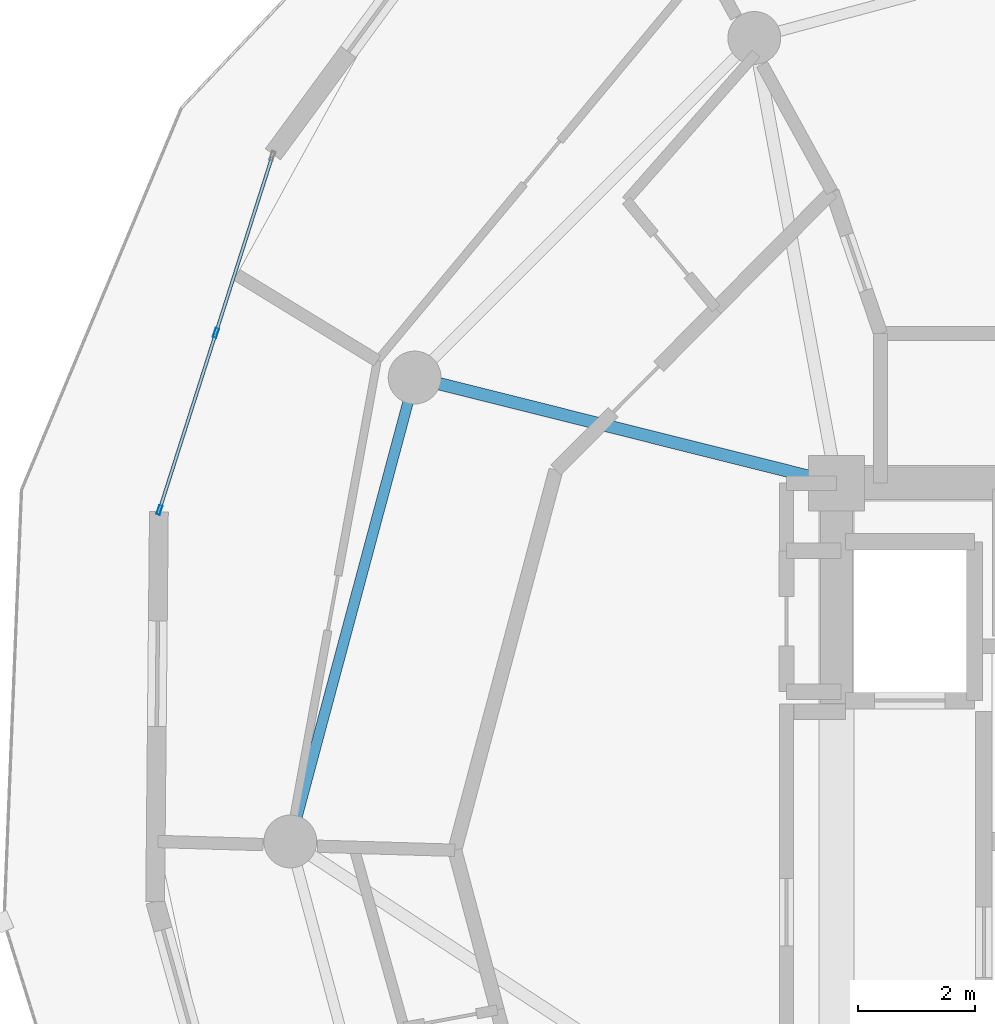
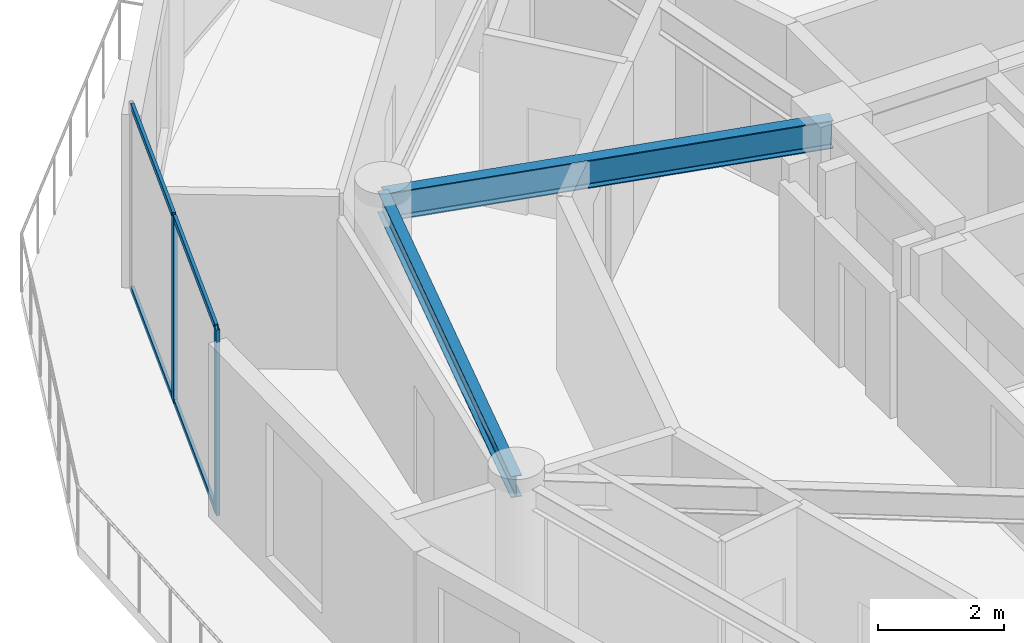
# One storey, part 6 of 20: 6 members, 2 beams, 1 element without a shape of its own.
"""IFC4 building model written with IfcOpenShell, lengths in metres."""

from ifc_helpers import new_model, si_unit, direction, frame, origin, origin_2d, place, context, subcontext, project, spatial, hollow_rectangle, i_section, extrude, source, transform, mapped, material, layer, layer_set, material_profile, profile_set, type_object, element, aggregate, save


model = new_model("IFC4")

# Units and contexts
model_context = context("Model", 3, precision=1e-05, world=origin(), true_north=direction((0.0, 1.0)))
body_context = subcontext(model_context, "Body", "Model", "MODEL_VIEW")
ifc_project = project(units=[si_unit("LENGTHUNIT", "METRE"), si_unit("AREAUNIT", "SQUARE_METRE"), si_unit("VOLUMEUNIT", "CUBIC_METRE"), si_unit("PLANEANGLEUNIT", "RADIAN"), si_unit("MASSUNIT", "GRAM", prefix="KILO")], contexts=[model_context])

# Site, building, storey
site_placement = place(None, origin())
site = spatial("IfcSite", under=ifc_project, at=site_placement, CompositionType="ELEMENT")
building_placement = place(site_placement, origin())
building = spatial("IfcBuilding", under=site, at=building_placement, Name="Solvirekh Grand Hotel", CompositionType="ELEMENT")
storey_placement = place(building_placement, frame((0.0, 0.0, 209.199951171875)))
storey = spatial("IfcBuildingStorey", under=building, at=storey_placement, Name="L54", CompositionType="ELEMENT", Elevation=209.199951171875)

# Beams
ifc_material_1 = material(Name="Steel S355", Category="steel")
ifc_material_profile_1 = material_profile(ifc_material_1, i_section(OverallWidth=0.2119140625, OverallDepth=0.5439453125, WebThickness=0.011962890625, FlangeThickness=0.01904296875, FilletRadius=0.013916015625, at=origin_2d()), Name="W530X123")
ifc_profile_set_1 = profile_set([ifc_material_profile_1], Name="Steel S355")
beam_type_1 = type_object("IfcBeamType", Name="Beam_Radial_W530H", PredefinedType="BEAM", material=ifc_profile_set_1)
beam_1_placement = place(storey_placement, frame((-6.5, 6.10009765625, 3.088134765625), z_axis=(-0.970014367692, 0.243047580675, 0.0), x_axis=(-0.243047580675, -0.970014367692, 0.0)))
element("IfcBeam", 1, at=beam_1_placement, inside=storey, type_object=beam_type_1, Name="L54 radial floor beam R06", PredefinedType="BEAM", context=body_context, shape_type="SweptSolid", body=[
    extrude(i_section(OverallWidth=0.2119140625, OverallDepth=0.5439453125, WebThickness=0.011962890625, FlangeThickness=0.01904296875, FilletRadius=0.013916015625, at=origin_2d()), origin(), (0.0, 0.0, 1.0), 7.4052734375),
])
ifc_material_profile_2 = material_profile(ifc_material_1, i_section(OverallWidth=0.180908203125, OverallDepth=0.4169921875, WebThickness=0.010009765625, FlangeThickness=0.01611328125, FilletRadius=0.011962890625, at=origin_2d()), Name="W410X85")
ifc_profile_set_2 = profile_set([ifc_material_profile_2], Name="Steel S355")
beam_type_2 = type_object("IfcBeamType", Name="Spandrel_Ring_W410", PredefinedType="SPANDREL", material=ifc_profile_set_2)
beam_2_placement = place(storey_placement, frame((-13.68310546875, 7.89990234375, 3.152099609375), z_axis=(-0.258838541915, -0.965920601923, 0.0), x_axis=(0.965920601923, -0.258838541915, 0.0)))
element("IfcBeam", 2, at=beam_2_placement, inside=storey, type_object=beam_type_2, Name="L54 perimeter spandrel beam 6", PredefinedType="SPANDREL", context=body_context, shape_type="SweptSolid", body=[
    extrude(i_section(OverallWidth=0.180908203125, OverallDepth=0.4169921875, WebThickness=0.010009765625, FlangeThickness=0.01611328125, FilletRadius=0.011962890625, at=origin_2d()), origin(), (0.0, 0.0, 1.0), 8.1787109375),
])

# Curtain wall, members
ifc_material_2 = material(Name="Anodized Bronze Aluminium 6063-T6", Category="aluminium")
ifc_layer = layer(ifc_material_2, 0.159912109375)
ifc_layer_set = layer_set([ifc_layer], Name="Anodized Bronze Aluminium 6063-T6")
curtain_wall_type = type_object("IfcCurtainWallType", Name="CW_Sys4_HighZoneFlushBronzeCW", PredefinedType="NOTDEFINED", material=ifc_layer_set)
curtain_wall_placement = place(storey_placement, origin())
curtain_wall = element("IfcCurtainWall", 3, at=curtain_wall_placement, inside=storey, type_object=curtain_wall_type, Name="L54 unitised bronze-glass curtain wall CW-L54-C13", PredefinedType="NOTDEFINED")
ifc_material_profile_3 = material_profile(ifc_material_2, hollow_rectangle(XDim=0.06005859375, YDim=0.159912109375, WallThickness=0.0048828125, at=origin_2d()), Name="ALU RHS 160X60X5")
ifc_profile_set_3 = profile_set([ifc_material_profile_3], Name="Anodized Bronze Aluminium 6063-T6")
member_type_1 = type_object("IfcMemberType", Name="CWMullion_Sys4", PredefinedType="MULLION", material=ifc_profile_set_3)
shared_shape_1 = source(origin(), body_context, "Body", "SweptSolid", [
    extrude(hollow_rectangle(XDim=0.06005859375, YDim=0.159912109375, WallThickness=0.0048828125, at=origin_2d()), origin(), (0.0, 0.0, 1.0), 3.60009765625),
])
member_1_placement = place(storey_placement, frame((-17.06689453125, 8.658447265625, 0.0), z_axis=(0.0, 0.0, 1.0), x_axis=(0.952689107237, -0.303946483698, 0.0)))
member_1 = element("IfcMember", 4, at=member_1_placement, type_object=member_type_1, Name="U04 mullion 2", PredefinedType="MULLION", context=body_context, shape_type="MappedRepresentation", body=[
    mapped(shared_shape_1, transform((0.0, 0.0, 0.0), x_axis=(1.0, 0.0, 0.0), y_axis=(0.0, 1.0, 0.0), z_axis=(0.0, 0.0, 1.0), scale=1.0)),
])
member_2_placement = place(storey_placement, frame((-18.02880859375, 5.6435546875, 0.0), z_axis=(0.0, 0.0, 1.0), x_axis=(0.952689107237, -0.303946483698, 0.0)))
member_2 = element("IfcMember", 5, at=member_2_placement, type_object=member_type_1, Name="U04 mullion 3", PredefinedType="MULLION", context=body_context, shape_type="MappedRepresentation", body=[
    mapped(shared_shape_1, transform((0.0, 0.0, 0.0), x_axis=(1.0, 0.0, 0.0), y_axis=(0.0, 1.0, 0.0), z_axis=(0.0, 0.0, 1.0), scale=1.0)),
])
ifc_material_profile_4 = material_profile(ifc_material_2, hollow_rectangle(XDim=0.054931640625, YDim=0.1201171875, WallThickness=0.00390625, at=origin_2d()), Name="ALU RHS 120X55X4")
ifc_profile_set_4 = profile_set([ifc_material_profile_4], Name="Anodized Bronze Aluminium 6063-T6")
member_type_2 = type_object("IfcMemberType", Name="CWTransom_Sys4", PredefinedType="USERDEFINED", material=ifc_profile_set_4)
shared_shape_2 = source(origin(), body_context, "Body", "SweptSolid", [
    extrude(hollow_rectangle(XDim=0.054931640625, YDim=0.1201171875, WallThickness=0.00390625, at=origin_2d()), origin(), (0.0, 0.0, 1.0), 3.104736328125),
])
member_3_placement = place(storey_placement, frame((-16.1142578125, 11.644775390625, 0.027587890625), z_axis=(-0.303933878834, -0.952693128608, 0.0), x_axis=(0.952693128608, -0.303933878834, 0.0)))
member_3 = element("IfcMember", 6, at=member_3_placement, type_object=member_type_2, Name="U04 transom 1.1", ObjectType="TRANSOM", PredefinedType="USERDEFINED", context=body_context, shape_type="MappedRepresentation", body=[
    mapped(shared_shape_2, transform((0.0, 0.0, 0.0), x_axis=(1.0, 0.0, 0.0), y_axis=(0.0, 1.0, 0.0), z_axis=(0.0, 0.0, 1.0), scale=1.0)),
])
member_4_placement = place(storey_placement, frame((-16.1142578125, 11.644775390625, 3.572509765625), z_axis=(-0.303933878834, -0.952693128608, 0.0), x_axis=(0.952693128608, -0.303933878834, 0.0)))
member_4 = element("IfcMember", 7, at=member_4_placement, type_object=member_type_2, Name="U04 transom 1.2", ObjectType="TRANSOM", PredefinedType="USERDEFINED", context=body_context, shape_type="MappedRepresentation", body=[
    mapped(shared_shape_2, transform((0.0, 0.0, 0.0), x_axis=(1.0, 0.0, 0.0), y_axis=(0.0, 1.0, 0.0), z_axis=(0.0, 0.0, 1.0), scale=1.0)),
])
member_5_placement = place(storey_placement, frame((-17.076171875, 8.6298828125, 0.027587890625), z_axis=(-0.303933878834, -0.952693128608, 0.0), x_axis=(0.952693128608, -0.303933878834, 0.0)))
member_5 = element("IfcMember", 8, at=member_5_placement, type_object=member_type_2, Name="U04 transom 2.1", ObjectType="TRANSOM", PredefinedType="USERDEFINED", context=body_context, shape_type="MappedRepresentation", body=[
    mapped(shared_shape_2, transform((0.0, 0.0, 0.0), x_axis=(1.0, 0.0, 0.0), y_axis=(0.0, 1.0, 0.0), z_axis=(0.0, 0.0, 1.0), scale=1.0)),
])
member_6_placement = place(storey_placement, frame((-17.076171875, 8.6298828125, 3.572509765625), z_axis=(-0.303933878834, -0.952693128608, 0.0), x_axis=(0.952693128608, -0.303933878834, 0.0)))
member_6 = element("IfcMember", 9, at=member_6_placement, type_object=member_type_2, Name="U04 transom 2.2", ObjectType="TRANSOM", PredefinedType="USERDEFINED", context=body_context, shape_type="MappedRepresentation", body=[
    mapped(shared_shape_2, transform((0.0, 0.0, 0.0), x_axis=(1.0, 0.0, 0.0), y_axis=(0.0, 1.0, 0.0), z_axis=(0.0, 0.0, 1.0), scale=1.0)),
])
aggregate(curtain_wall, [member_1, member_2, member_3, member_4, member_5, member_6])

save(model, "model.ifc")
